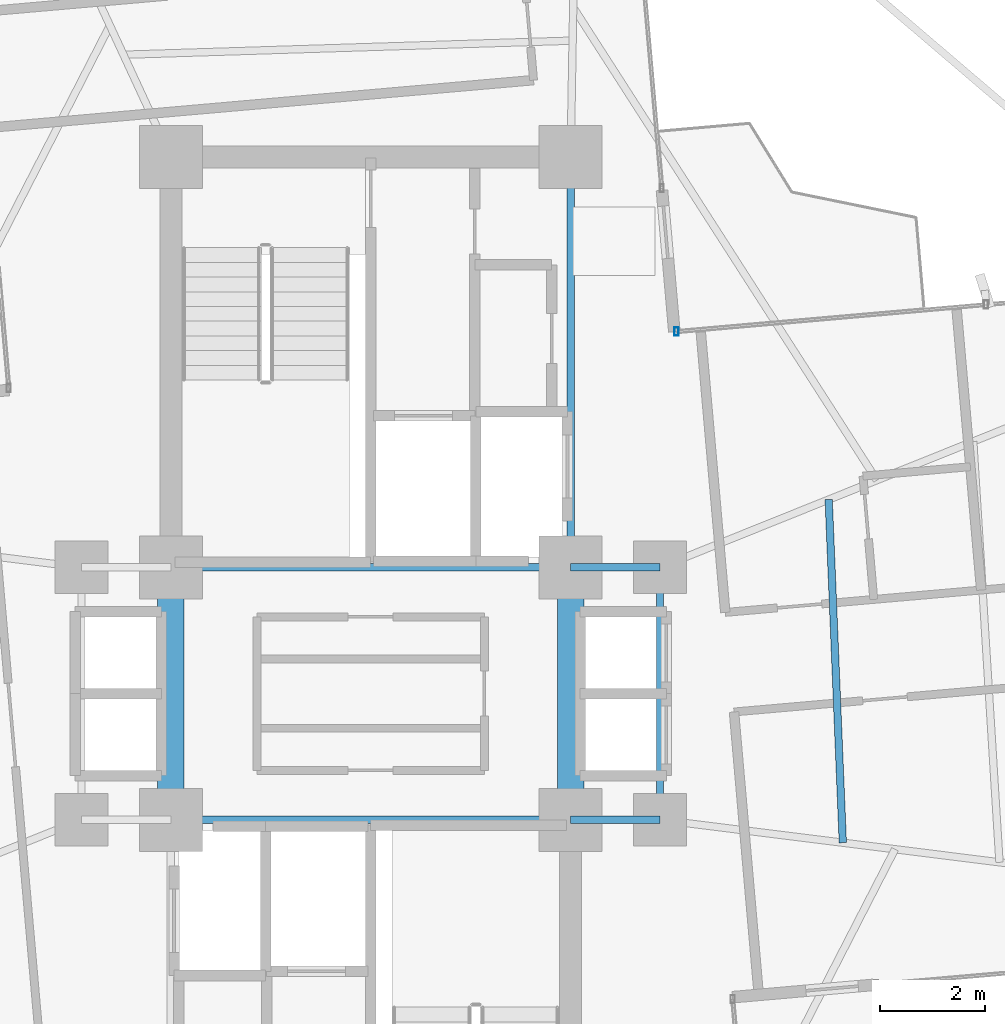
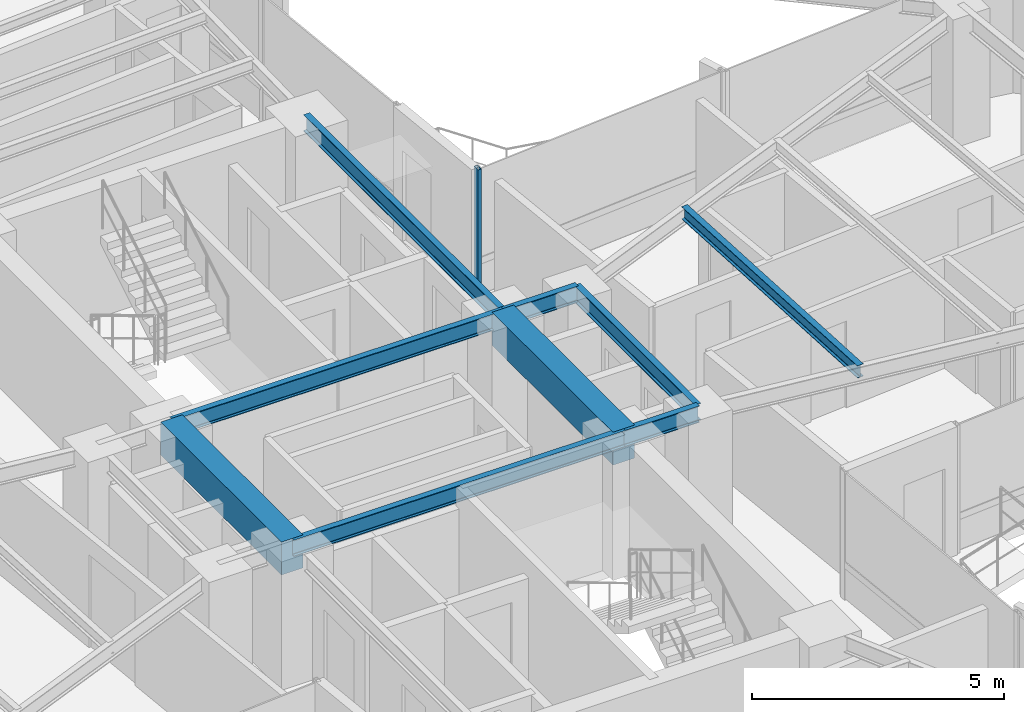
# One storey, part 11 of 24: 9 beams, 1 member, 1 element without a shape of its own.
"""IFC4 building model written with IfcOpenShell, lengths in metres."""

from ifc_helpers import new_model, si_unit, direction, frame, origin, origin_2d, place, context, subcontext, project, spatial, rectangle, hollow_rectangle, i_section, extrude, source, transform, mapped, material, material_profile, profile_set, type_object, element, aggregate, save


model = new_model("IFC4")

# Units and contexts
model_context = context("Model", 3, precision=1e-05, world=origin(), true_north=direction((0.0, 1.0)))
body_context = subcontext(model_context, "Body", "Model", "MODEL_VIEW")
ifc_project = project(units=[si_unit("LENGTHUNIT", "METRE"), si_unit("AREAUNIT", "SQUARE_METRE"), si_unit("VOLUMEUNIT", "CUBIC_METRE"), si_unit("PLANEANGLEUNIT", "RADIAN"), si_unit("MASSUNIT", "GRAM", prefix="KILO")], contexts=[model_context])

# Site, building, storey
site_placement = place(None, origin())
site = spatial("IfcSite", under=ifc_project, at=site_placement, CompositionType="ELEMENT")
building_placement = place(site_placement, origin())
building = spatial("IfcBuilding", under=site, at=building_placement, Name="Sahyath Konkavel Grand Hotel", CompositionType="ELEMENT")
storey_placement = place(building_placement, frame((0.0, 0.0, 188.60009765625)))
storey = spatial("IfcBuildingStorey", under=building, at=storey_placement, Name="L52", CompositionType="ELEMENT", Elevation=188.60009765625)

# Beams
ifc_material_1 = material(Name="Steel E350", Category="steel")
ifc_material_profile_1 = material_profile(ifc_material_1, i_section(OverallWidth=0.139892578125, OverallDepth=0.39990234375, WebThickness=0.0087890625, FlangeThickness=0.01611328125, FilletRadius=0.013916015625, at=origin_2d()), Name="ISMB 400")
ifc_profile_set_1 = profile_set([ifc_material_profile_1], Name="Steel E350")
beam_type_1 = type_object("IfcBeamType", Name="BM-ISMB400", PredefinedType="BEAM", material=ifc_profile_set_1)
shared_shape_1 = source(origin(), body_context, "Body", "SweptSolid", [
    extrude(i_section(OverallWidth=0.139892578125, OverallDepth=0.39990234375, WebThickness=0.0087890625, FlangeThickness=0.01611328125, FilletRadius=0.013916015625, at=origin_2d()), origin(), (0.0, 0.0, 1.0), 7.60009765625),
])
for number, where, z_axis, x_axis, name in (
    (1, (-3.800048828125, 2.39990234375, 2.909912109375), (1.0, 0.0, 0.0), (0.0, 1.0, 0.0), "str:bm:L52:NC-S"),
    (2, (-3.800048828125, -2.39990234375, 2.909912109375), (1.0, 0.0, 0.0), (0.0, 1.0, 0.0), "str:bm:L52:SC-N"),
):
    element("IfcBeam", number, at=place(storey_placement, frame(where, z_axis=z_axis, x_axis=x_axis)), inside=storey, type_object=beam_type_1, Name=name, PredefinedType="BEAM", context=body_context, shape_type="MappedRepresentation", body=[
        mapped(shared_shape_1, transform((0.0, 0.0, 0.0), scale=1.0)),
    ])
shared_shape_2 = source(origin(), body_context, "Body", "SweptSolid", [
    extrude(i_section(OverallWidth=0.139892578125, OverallDepth=0.39990234375, WebThickness=0.0087890625, FlangeThickness=0.01611328125, FilletRadius=0.013916015625, at=origin_2d()), origin(), (0.0, 0.0, 1.0), 7.800048828125),
])
beam_1_placement = place(storey_placement, frame((3.800048828125, 2.39990234375, 2.909912109375), z_axis=(0.0, 1.0, 0.0), x_axis=(-1.0, 0.0, 0.0)))
element("IfcBeam", 3, at=beam_1_placement, inside=storey, type_object=beam_type_1, Name="str:bm:L52:NC-E", PredefinedType="BEAM", context=body_context, shape_type="MappedRepresentation", body=[
    mapped(shared_shape_2, transform((0.0, 0.0, 0.0), scale=1.0)),
])
shared_shape_3 = source(origin(), body_context, "Body", "SweptSolid", [
    extrude(i_section(OverallWidth=0.139892578125, OverallDepth=0.39990234375, WebThickness=0.0087890625, FlangeThickness=0.01611328125, FilletRadius=0.013916015625, at=origin_2d()), origin(), (0.0, 0.0, 1.0), 1.699951171875),
])
for number, where, z_axis, x_axis, name in (
    (4, (3.800048828125, 2.39990234375, 2.909912109375), (1.0, 0.0, 0.0), (0.0, 1.0, 0.0), "str:bm:L52:HB-NE"),
    (5, (3.800048828125, -2.39990234375, 2.909912109375), (1.0, 0.0, 0.0), (0.0, 1.0, 0.0), "str:bm:L52:HB-SE"),
):
    element("IfcBeam", number, at=place(storey_placement, frame(where, z_axis=z_axis, x_axis=x_axis)), inside=storey, type_object=beam_type_1, Name=name, PredefinedType="BEAM", context=body_context, shape_type="MappedRepresentation", body=[
        mapped(shared_shape_3, transform((0.0, 0.0, 0.0), scale=1.0)),
    ])
shared_shape_4 = source(origin(), body_context, "Body", "SweptSolid", [
    extrude(i_section(OverallWidth=0.139892578125, OverallDepth=0.39990234375, WebThickness=0.0087890625, FlangeThickness=0.01611328125, FilletRadius=0.013916015625, at=origin_2d()), origin(), (0.0, 0.0, 1.0), 4.7998046875),
])
beam_2_placement = place(storey_placement, frame((5.5, -2.39990234375, 2.909912109375), z_axis=(0.0, 1.0, 0.0), x_axis=(-1.0, 0.0, 0.0)))
element("IfcBeam", 6, at=beam_2_placement, inside=storey, type_object=beam_type_1, Name="str:bm:L52:HB-E", PredefinedType="BEAM", context=body_context, shape_type="MappedRepresentation", body=[
    mapped(shared_shape_4, transform((0.0, 0.0, 0.0), scale=1.0)),
])
ifc_material_2 = material(Name="Concrete C50/60", Category="concrete")
ifc_material_profile_2 = material_profile(ifc_material_2, rectangle(XDim=0.5, YDim=0.800048828125, at=origin_2d()), Name="RC 500x800")
ifc_profile_set_2 = profile_set([ifc_material_profile_2], Name="Concrete C50/60")
beam_type_2 = type_object("IfcBeamType", Name="BM-CB500x800", PredefinedType="LINTEL", material=ifc_profile_set_2)
shared_shape_5 = source(origin(), body_context, "Body", "SweptSolid", [
    extrude(rectangle(XDim=0.5, YDim=0.800048828125, at=origin_2d()), origin(), (0.0, 0.0, 1.0), 4.7998046875),
])
for number, where, z_axis, x_axis, name in (
    (7, (-3.800048828125, -2.39990234375, 2.7099609375), (0.0, 1.0, 0.0), (-1.0, 0.0, 0.0), "L52 Split-Core Coupling Beam West"),
    (8, (3.800048828125, -2.39990234375, 2.7099609375), (0.0, 1.0, 0.0), (-1.0, 0.0, 0.0), "L52 Split-Core Coupling Beam East"),
):
    element("IfcBeam", number, at=place(storey_placement, frame(where, z_axis=z_axis, x_axis=x_axis)), inside=storey, type_object=beam_type_2, Name=name, PredefinedType="LINTEL", context=body_context, shape_type="MappedRepresentation", body=[
        mapped(shared_shape_5, transform((0.0, 0.0, 0.0), scale=1.0)),
    ])
ifc_material_profile_3 = material_profile(ifc_material_1, i_section(OverallWidth=0.139892578125, OverallDepth=0.300048828125, WebThickness=0.0078125, FlangeThickness=0.01318359375, FilletRadius=0.013916015625, at=origin_2d()), Name="ISMB 300")
ifc_profile_set_3 = profile_set([ifc_material_profile_3], Name="Steel E350")
beam_type_3 = type_object("IfcBeamType", Name="BM-ISMB300", PredefinedType="BEAM", material=ifc_profile_set_3)
shared_shape_6 = source(origin(), body_context, "Body", "SweptSolid", [
    extrude(i_section(OverallWidth=0.139892578125, OverallDepth=0.300048828125, WebThickness=0.0078125, FlangeThickness=0.01318359375, FilletRadius=0.013916015625, at=origin_2d()), origin(), (0.0, 0.0, 1.0), 6.530029296875),
])
beam_3_placement = place(storey_placement, frame((8.9755859375, -2.835205078125, 2.9599609375), z_axis=(-0.04112667768, 0.999153940283, 0.0), x_axis=(-0.999153940283, -0.04112667768, 0.0)))
element("IfcBeam", 9, at=beam_3_placement, inside=storey, type_object=beam_type_3, Name="L52 Secondary Floor Beam E-1", PredefinedType="BEAM", context=body_context, shape_type="MappedRepresentation", body=[
    mapped(shared_shape_6, transform((0.0, 0.0, 0.0), scale=1.0)),
])

# Curtain wall, member
ifc_material_3 = material(Name="Anodised Bronze Aluminium & Low-E Glazing", Category="aluminium")
curtain_wall_type = type_object("IfcCurtainWallType", Name="CW-ZONE3", PredefinedType="NOTDEFINED", material=ifc_material_3)
curtain_wall_placement = place(storey_placement, origin())
curtain_wall = element("IfcCurtainWall", 10, at=curtain_wall_placement, inside=storey, type_object=curtain_wall_type, Name="L52 Unitised Curtain Wall F7", PredefinedType="NOTDEFINED")
ifc_material_4 = material(Name="Anodised Bronze Aluminium", Category="aluminium")
ifc_material_profile_4 = material_profile(ifc_material_4, hollow_rectangle(XDim=0.080078125, YDim=0.159912109375, WallThickness=0.006103515625, at=origin_2d()), Name="RHS 160x80x6")
ifc_profile_set_4 = profile_set([ifc_material_profile_4], Name="Anodised Bronze Aluminium")
member_type = type_object("IfcMemberType", Name="CW-MUL-160", PredefinedType="MULLION", material=ifc_profile_set_4)
shared_shape_7 = source(origin(), body_context, "Body", "SweptSolid", [
    extrude(hollow_rectangle(XDim=0.080078125, YDim=0.159912109375, WallThickness=0.006103515625, at=origin_2d()), origin(), (0.0, 0.0, 1.0), 3.10986328125),
])
member_placement = place(storey_placement, frame((5.812255859375, 6.8828125, 0.0), z_axis=(0.0, 0.0, 1.0), x_axis=(1.0, 0.0, 0.0)))
member = element("IfcMember", 11, at=member_placement, type_object=member_type, Name="L52 Curtain Wall Mullion F7-2", PredefinedType="MULLION", context=body_context, shape_type="MappedRepresentation", body=[
    mapped(shared_shape_7, transform((0.0, 0.0, 0.0), scale=1.0)),
])
aggregate(curtain_wall, [member])

save(model, "model.ifc")
